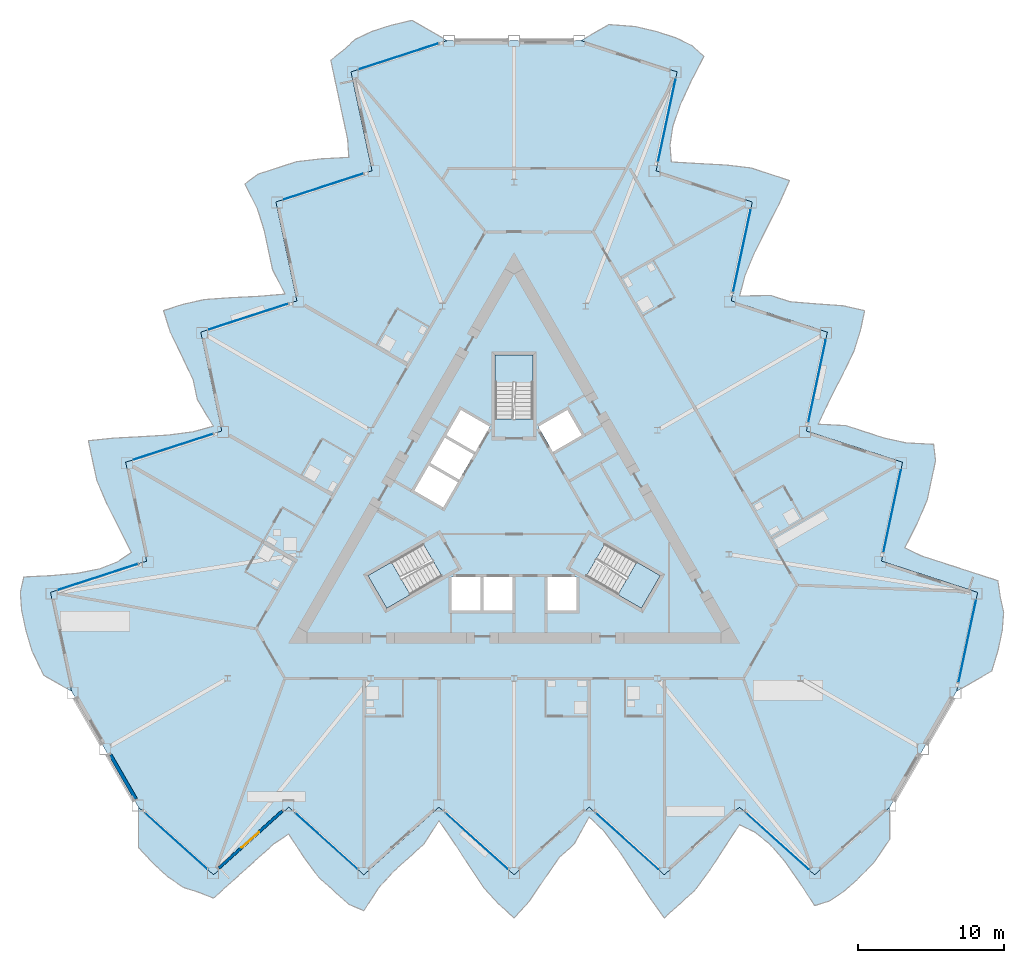
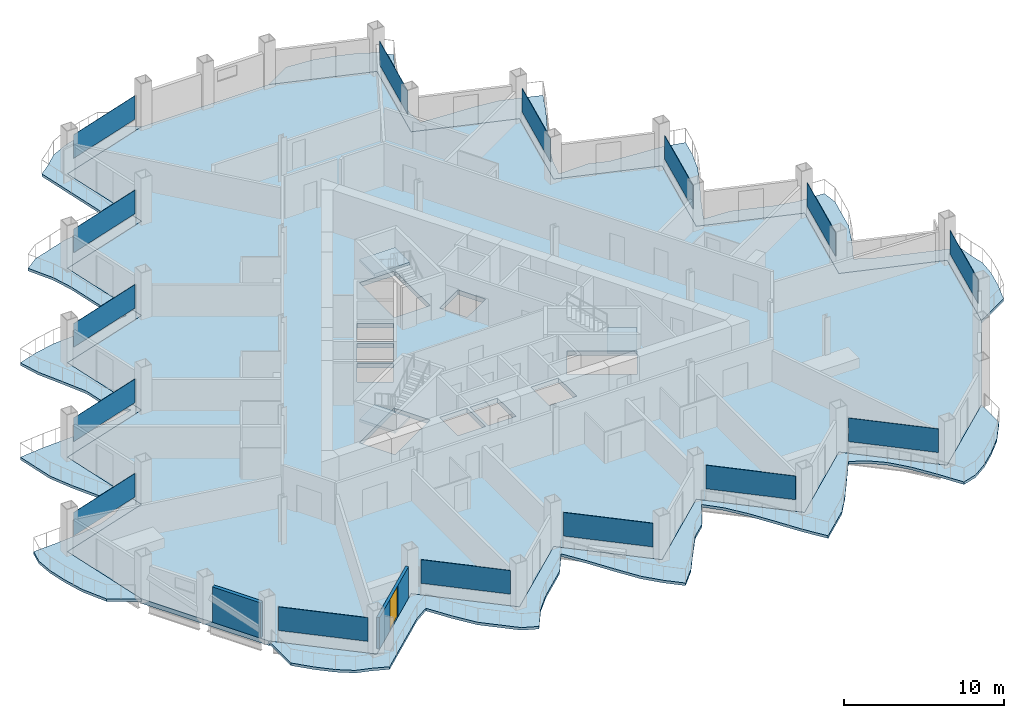
# One storey, part 10 of 23: 15 plates, 7 slabs, 2 walls, 1 door, 1 opening, 18 elements without a shape of their own.
"""IFC4 building model written with IfcOpenShell, lengths in metres."""

from ifc_helpers import new_model, si_unit, direction, frame, frame_2d, origin, origin_2d, place, context, subcontext, project, spatial, polyline, rectangle, outline, extrude, material, layer, layer_set, type_object, element, fill, aggregate, save


model = new_model("IFC4")

# Units and contexts
model_context = context("Model", 3, precision=1e-05, world=origin(), true_north=direction((0.0, 1.0)))
body_context = subcontext(model_context, "Body", "Model", "MODEL_VIEW")
ifc_project = project(units=[si_unit("LENGTHUNIT", "METRE"), si_unit("AREAUNIT", "SQUARE_METRE"), si_unit("VOLUMEUNIT", "CUBIC_METRE"), si_unit("PLANEANGLEUNIT", "RADIAN"), si_unit("MASSUNIT", "GRAM", prefix="KILO")], contexts=[model_context])

# Site, building, storey
site_placement = place(None, origin())
site = spatial("IfcSite", under=ifc_project, at=site_placement, CompositionType="ELEMENT")
building_placement = place(site_placement, origin())
building = spatial("IfcBuilding", under=site, at=building_placement, Name="Cormorant Prow Tower", CompositionType="ELEMENT")
storey_placement = place(building_placement, frame((0.0, 0.0, 212.39990234375)))
storey = spatial("IfcBuildingStorey", under=building, at=storey_placement, Name="L47", CompositionType="ELEMENT", Elevation=212.39990234375)

# Slabs
ifc_material_1 = material(Name="Concrete C40/50", Category="concrete")
ifc_layer_1 = layer(ifc_material_1, 0.199951171875)
ifc_layer_set_1 = layer_set([ifc_layer_1], Name="Concrete C40/50")
slab_type_1 = type_object("IfcSlabType", Name="Balcony slab 200", PredefinedType="FLOOR", material=ifc_layer_set_1)
slab_1_placement = place(storey_placement, frame((0.0, 0.0, -0.199951171875)))
element("IfcSlab", 1, at=slab_1_placement, inside=storey, type_object=slab_type_1, Name="Balcony slab S L47", PredefinedType="FLOOR", context=body_context, shape_type="SweptSolid", body=[
    extrude(outline(polyline([(-25.778076171875, -20.184814453125), (-25.778076171875, -22.96875), (-24.7470703125, -24.063232421875), (-23.7158203125, -24.99169921875), (-22.684814453125, -25.69580078125), (-21.653564453125, -26.018310546875), (-20.62255859375, -26.427001953125), (-19.59130859375, -25.49853515625), (-18.560302734375, -24.570068359375), (-17.529052734375, -23.641845703125), (-16.498046875, -22.71337890625), (-15.466796875, -22.023681640625), (-14.435791015625, -23.608154296875), (-13.404541015625, -24.99169921875), (-12.37353515625, -25.920166015625), (-11.34228515625, -26.8486328125), (-10.311279296875, -27.2890625), (-9.280029296875, -25.700439453125), (-8.2490234375, -24.570068359375), (-7.2177734375, -23.641845703125), (-6.186767578125, -22.71337890625), (-5.155517578125, -21.11865234375), (-4.12451171875, -22.59814453125), (-3.09326171875, -24.19775390625), (-2.062255859375, -25.723388671875), (-1.031005859375, -26.8486328125), (0.0, -27.777099609375), (1.031005859375, -26.656005859375), (2.062255859375, -25.1318359375), (3.09326171875, -23.641845703125), (4.12451171875, -22.71337890625), (5.155517578125, -20.848388671875), (6.186767578125, -21.86083984375), (7.2177734375, -23.207275390625), (8.2490234375, -24.766357421875), (9.280029296875, -26.35546875), (10.311279296875, -27.777099609375), (11.34228515625, -26.8486328125), (12.37353515625, -25.920166015625), (13.404541015625, -24.54150390625), (14.435791015625, -22.957763671875), (15.466796875, -21.39013671875), (16.498046875, -21.880615234375), (17.529052734375, -22.698974609375), (18.560302734375, -23.87744140625), (19.59130859375, -25.343505859375), (20.62255859375, -26.941162109375), (21.653564453125, -26.6201171875), (22.684814453125, -25.920166015625), (23.7158203125, -24.99169921875), (24.7470703125, -23.901123046875), (25.778076171875, -22.38818359375), (25.778076171875, -20.184814453125), (24.7470703125, -21.11328125), (23.7158203125, -22.041748046875), (22.684814453125, -22.97021484375), (21.653564453125, -23.898681640625), (20.62255859375, -24.8271484375), (19.59130859375, -23.898681640625), (18.560302734375, -22.97021484375), (17.529052734375, -22.041748046875), (16.498046875, -21.11328125), (15.466796875, -20.184814453125), (14.435791015625, -21.11328125), (13.404541015625, -22.041748046875), (12.37353515625, -22.97021484375), (11.34228515625, -23.898681640625), (10.311279296875, -24.8271484375), (9.280029296875, -23.898681640625), (8.2490234375, -22.97021484375), (7.2177734375, -22.041748046875), (6.186767578125, -21.11328125), (5.155517578125, -20.184814453125), (4.12451171875, -21.11328125), (3.09326171875, -22.041748046875), (2.062255859375, -22.97021484375), (1.031005859375, -23.898681640625), (0.0, -24.8271484375), (-1.031005859375, -23.898681640625), (-2.062255859375, -22.97021484375), (-3.09326171875, -22.041748046875), (-4.12451171875, -21.11328125), (-5.155517578125, -20.184814453125), (-6.186767578125, -21.11328125), (-7.2177734375, -22.041748046875), (-8.2490234375, -22.97021484375), (-9.280029296875, -23.898681640625), (-10.311279296875, -24.8271484375), (-11.34228515625, -23.898681640625), (-12.37353515625, -22.97021484375), (-13.404541015625, -22.041748046875), (-14.435791015625, -21.11328125), (-15.466796875, -20.184814453125), (-16.498046875, -21.11328125), (-17.529052734375, -22.041748046875), (-18.560302734375, -22.97021484375), (-19.59130859375, -23.898681640625), (-20.62255859375, -24.8271484375), (-21.653564453125, -23.898681640625), (-22.684814453125, -22.97021484375), (-23.7158203125, -22.041748046875), (-24.7470703125, -21.11328125), (-25.778076171875, -20.184814453125)])), origin(), (0.0, 0.0, 1.0), 0.199951171875),
])
slab_2_placement = place(storey_placement, frame((0.0, 0.0, -0.199951171875)))
element("IfcSlab", 2, at=slab_2_placement, inside=storey, type_object=slab_type_1, Name="Balcony slab ENE L47", PredefinedType="FLOOR", context=body_context, shape_type="SweptSolid", body=[
    extrude(outline(polyline([(30.36962890625, -12.232177734375), (32.780517578125, -10.840087890625), (33.212890625, -9.39990234375), (33.50146484375, -8.042724609375), (33.595703125, -6.797607421875), (33.359375, -5.743408203125), (33.19775390625, -4.64599609375), (31.878173828125, -4.21728515625), (30.55859375, -3.78857421875), (29.239013671875, -3.35986328125), (27.91943359375, -2.93115234375), (26.806396484375, -2.3828125), (27.6630859375, -0.69775390625), (28.345703125, 0.88720703125), (28.63427734375, 2.244384765625), (28.9228515625, 3.6015625), (28.78857421875, 4.714599609375), (26.897216796875, 4.8134765625), (25.40283203125, 5.141357421875), (24.083251953125, 5.570068359375), (22.763671875, 5.998779296875), (20.8671875, 6.094482421875), (21.6328125, 7.72705078125), (22.502685546875, 9.419921875), (23.30810546875, 11.07568359375), (23.76708984375, 12.53125), (24.0556640625, 13.888427734375), (22.569091796875, 14.220947265625), (20.733642578125, 14.351806640625), (18.927734375, 14.499755859375), (17.608154296875, 14.9287109375), (15.4775390625, 14.88916015625), (15.8388671875, 16.288330078125), (16.489013671875, 17.8544921875), (17.32373046875, 19.527099609375), (18.184326171875, 21.214599609375), (18.89990234375, 22.818359375), (17.580322265625, 23.2470703125), (16.2607421875, 23.67578125), (14.55126953125, 23.879638671875), (12.6640625, 23.980712890625), (10.791015625, 24.08984375), (10.7001953125, 25.22802734375), (10.893310546875, 26.5302734375), (11.3984375, 28.012451171875), (12.15234375, 29.638427734375), (13.0205078125, 31.330322265625), (12.226806640625, 32.062744140625), (11.105224609375, 32.605712890625), (9.78564453125, 33.034423828125), (8.325439453125, 33.382080078125), (6.499755859375, 33.5185546875), (4.591552734375, 32.4169921875), (5.9111328125, 31.98828125), (7.230712890625, 31.5595703125), (8.55029296875, 31.130615234375), (9.869873046875, 30.701904296875), (11.189697265625, 30.273193359375), (10.901123046875, 28.916015625), (10.612548828125, 27.558837890625), (10.32421875, 26.20166015625), (10.03564453125, 24.844482421875), (9.7470703125, 23.487060546875), (11.06689453125, 23.058349609375), (12.386474609375, 22.629638671875), (13.7060546875, 22.200927734375), (15.025634765625, 21.772216796875), (16.34521484375, 21.34326171875), (16.056640625, 19.986083984375), (15.768310546875, 18.62890625), (15.479736328125, 17.271728515625), (15.19140625, 15.91455078125), (14.90283203125, 14.557373046875), (16.222412109375, 14.128662109375), (17.5419921875, 13.69970703125), (18.861572265625, 13.27099609375), (20.18115234375, 12.84228515625), (21.5009765625, 12.41357421875), (21.21240234375, 11.056396484375), (20.923828125, 9.69921875), (20.635498046875, 8.342041015625), (20.346923828125, 6.984619140625), (20.058349609375, 5.62744140625), (21.378173828125, 5.19873046875), (22.69775390625, 4.77001953125), (24.017333984375, 4.34130859375), (25.3369140625, 3.912353515625), (26.656494140625, 3.483642578125), (26.367919921875, 2.12646484375), (26.07958984375, 0.769287109375), (25.791015625, -0.587890625), (25.502685546875, -1.945068359375), (25.214111328125, -3.30224609375), (26.53369140625, -3.73095703125), (27.853271484375, -4.159912109375), (29.1728515625, -4.588623046875), (30.492431640625, -5.017333984375), (31.81201171875, -5.446044921875), (31.523681640625, -6.80322265625), (31.235107421875, -8.160400390625), (30.94677734375, -9.517822265625), (30.658203125, -10.875), (30.36962890625, -12.232177734375)])), origin(), (0.0, 0.0, 1.0), 0.199951171875),
])
slab_3_placement = place(storey_placement, frame((0.0, 0.0, -0.199951171875)))
element("IfcSlab", 3, at=slab_3_placement, inside=storey, type_object=slab_type_1, Name="Balcony slab WNW L47", PredefinedType="FLOOR", context=body_context, shape_type="SweptSolid", body=[
    extrude(outline(polyline([(-4.591552734375, 32.4169921875), (-7.00244140625, 33.808837890625), (-8.4658203125, 33.463134765625), (-9.78564453125, 33.034423828125), (-10.910888671875, 32.49365234375), (-11.705810546875, 31.76171875), (-12.5751953125, 31.0732421875), (-12.286865234375, 29.716064453125), (-11.998291015625, 28.35888671875), (-11.709716796875, 27.00146484375), (-11.42138671875, 25.644287109375), (-11.339599609375, 24.406494140625), (-13.227294921875, 24.3056640625), (-14.941162109375, 24.104736328125), (-16.2607421875, 23.67578125), (-17.580322265625, 23.2470703125), (-18.477294921875, 22.57421875), (-17.6171875, 20.886962890625), (-17.15380859375, 19.428955078125), (-16.865478515625, 18.07177734375), (-16.576904296875, 16.714599609375), (-15.711669921875, 15.024169921875), (-17.50830078125, 14.87109375), (-19.4091796875, 14.77783203125), (-21.245849609375, 14.647705078125), (-22.736083984375, 14.3173828125), (-24.0556640625, 13.888427734375), (-23.600341796875, 12.43505859375), (-22.7958984375, 10.780029296875), (-22.02099609375, 9.141845703125), (-21.732666015625, 7.78466796875), (-20.633056640625, 5.959228515625), (-22.025634765625, 5.572509765625), (-23.70703125, 5.352783203125), (-25.57275390625, 5.2392578125), (-27.464599609375, 5.140869140625), (-29.211181640625, 4.958740234375), (-28.9228515625, 3.6015625), (-28.63427734375, 2.244384765625), (-27.955810546875, 0.662109375), (-27.099853515625, -1.02294921875), (-26.2578125, -2.69970703125), (-27.1982421875, -3.347412109375), (-28.422607421875, -3.8310546875), (-29.958740234375, -4.135009765625), (-31.74365234375, -4.294921875), (-33.64306640625, -4.38916015625), (-33.88037109375, -5.442626953125), (-33.7900390625, -6.685546875), (-33.50146484375, -8.042724609375), (-33.072509765625, -9.48095703125), (-32.27783203125, -11.13037109375), (-30.36962890625, -12.232177734375), (-30.658203125, -10.875), (-30.94677734375, -9.517822265625), (-31.235107421875, -8.160400390625), (-31.523681640625, -6.80322265625), (-31.81201171875, -5.446044921875), (-30.492431640625, -5.017333984375), (-29.1728515625, -4.588623046875), (-27.853271484375, -4.159912109375), (-26.53369140625, -3.73095703125), (-25.214111328125, -3.30224609375), (-25.502685546875, -1.945068359375), (-25.791015625, -0.587890625), (-26.07958984375, 0.769287109375), (-26.367919921875, 2.12646484375), (-26.656494140625, 3.483642578125), (-25.3369140625, 3.912353515625), (-24.017333984375, 4.34130859375), (-22.69775390625, 4.77001953125), (-21.378173828125, 5.19873046875), (-20.058349609375, 5.62744140625), (-20.346923828125, 6.984619140625), (-20.635498046875, 8.342041015625), (-20.923828125, 9.69921875), (-21.21240234375, 11.056396484375), (-21.5009765625, 12.41357421875), (-20.18115234375, 12.84228515625), (-18.861572265625, 13.27099609375), (-17.5419921875, 13.69970703125), (-16.222412109375, 14.128662109375), (-14.90283203125, 14.557373046875), (-15.19140625, 15.91455078125), (-15.479736328125, 17.271728515625), (-15.768310546875, 18.62890625), (-16.056640625, 19.986083984375), (-16.34521484375, 21.34326171875), (-15.025634765625, 21.772216796875), (-13.7060546875, 22.200927734375), (-12.386474609375, 22.629638671875), (-11.06689453125, 23.058349609375), (-9.7470703125, 23.487060546875), (-10.03564453125, 24.844482421875), (-10.32421875, 26.20166015625), (-10.612548828125, 27.558837890625), (-10.901123046875, 28.916015625), (-11.189697265625, 30.273193359375), (-9.869873046875, 30.701904296875), (-8.55029296875, 31.130615234375), (-7.230712890625, 31.5595703125), (-5.9111328125, 31.98828125), (-4.591552734375, 32.4169921875)])), origin(), (0.0, 0.0, 1.0), 0.199951171875),
])

# Curtain wall, plate
ifc_material_2 = material(Name="Aluminium 6063-T6", Category="aluminium")
ifc_layer_2 = layer(ifc_material_2, 0.179931640625)
ifc_layer_set_2 = layer_set([ifc_layer_2], Name="Aluminium 6063-T6")
curtain_wall_type = type_object("IfcCurtainWallType", Name="Hotel unitised curtain wall 180", PredefinedType="NOTDEFINED", material=ifc_layer_set_2)
curtain_wall_1_placement = place(storey_placement, origin())
curtain_wall_1 = element("IfcCurtainWall", 4, at=curtain_wall_1_placement, inside=storey, type_object=curtain_wall_type, Name="Hotel curtain wall S00", PredefinedType="NOTDEFINED")
ifc_material_3 = material(Name="Clear glass", Category="glass")
ifc_layer_3 = layer(ifc_material_3, 0.028076171875)
ifc_layer_set_3 = layer_set([ifc_layer_3], Name="Clear glass")
plate_type = type_object("IfcPlateType", Name="Hotel glass panel 28", PredefinedType="CURTAIN_PANEL", material=ifc_layer_set_3)
plate_1_placement = place(storey_placement, frame((-23.177978515625, -22.526123046875, 0.900146484375), z_axis=(0.0, 0.0, 1.0), x_axis=(0.743144739757, -0.669130701561, 0.0)))
plate_1 = element("IfcPlate", 5, at=plate_1_placement, type_object=plate_type, Name="Hotel glass panel S00", PredefinedType="CURTAIN_PANEL", context=body_context, shape_type="SweptSolid", body=[
    extrude(rectangle(XDim=5.74169921875, YDim=0.028076171875, at=origin_2d()), origin(), (0.0, 0.0, 1.0), 1.80078125),
])
aggregate(curtain_wall_1, [plate_1])

curtain_wall_2_placement = place(storey_placement, origin())
curtain_wall_2 = element("IfcCurtainWall", 6, at=curtain_wall_2_placement, inside=storey, type_object=curtain_wall_type, Name="Hotel curtain wall S02", PredefinedType="NOTDEFINED")
plate_2_placement = place(storey_placement, frame((-12.86669921875, -22.526123046875, 0.900146484375), z_axis=(0.0, 0.0, 1.0), x_axis=(0.743144804304, -0.669130629874, 0.0)))
plate_2 = element("IfcPlate", 7, at=plate_2_placement, type_object=plate_type, Name="Hotel glass panel S02", PredefinedType="CURTAIN_PANEL", context=body_context, shape_type="SweptSolid", body=[
    extrude(rectangle(XDim=5.74169921875, YDim=0.028076171875, at=origin_2d()), origin(), (0.0, 0.0, 1.0), 1.80078125),
])
aggregate(curtain_wall_2, [plate_2])

curtain_wall_3_placement = place(storey_placement, origin())
curtain_wall_3 = element("IfcCurtainWall", 8, at=curtain_wall_3_placement, inside=storey, type_object=curtain_wall_type, Name="Hotel curtain wall S04", PredefinedType="NOTDEFINED")
plate_3_placement = place(storey_placement, frame((-2.555419921875, -22.526123046875, 0.900146484375), z_axis=(0.0, 0.0, 1.0), x_axis=(0.743144804304, -0.669130629874, 0.0)))
plate_3 = element("IfcPlate", 9, at=plate_3_placement, type_object=plate_type, Name="Hotel glass panel S04", PredefinedType="CURTAIN_PANEL", context=body_context, shape_type="SweptSolid", body=[
    extrude(rectangle(XDim=5.74169921875, YDim=0.028076171875, at=origin_2d()), origin(), (0.0, 0.0, 1.0), 1.80078125),
])
aggregate(curtain_wall_3, [plate_3])

curtain_wall_4_placement = place(storey_placement, origin())
curtain_wall_4 = element("IfcCurtainWall", 10, at=curtain_wall_4_placement, inside=storey, type_object=curtain_wall_type, Name="Hotel curtain wall S06", PredefinedType="NOTDEFINED")
plate_4_placement = place(storey_placement, frame((7.755859375, -22.526123046875, 0.900146484375), z_axis=(0.0, 0.0, 1.0), x_axis=(0.743144739757, -0.669130701561, 0.0)))
plate_4 = element("IfcPlate", 11, at=plate_4_placement, type_object=plate_type, Name="Hotel glass panel S06", PredefinedType="CURTAIN_PANEL", context=body_context, shape_type="SweptSolid", body=[
    extrude(rectangle(XDim=5.74169921875, YDim=0.028076171875, at=origin_2d()), origin(), (0.0, 0.0, 1.0), 1.80078125),
])
aggregate(curtain_wall_4, [plate_4])

curtain_wall_5_placement = place(storey_placement, origin())
curtain_wall_5 = element("IfcCurtainWall", 12, at=curtain_wall_5_placement, inside=storey, type_object=curtain_wall_type, Name="Hotel curtain wall S08", PredefinedType="NOTDEFINED")
plate_5_placement = place(storey_placement, frame((18.06689453125, -22.526123046875, 0.900146484375), z_axis=(0.0, 0.0, 1.0), x_axis=(0.743144804304, -0.669130629874, 0.0)))
plate_5 = element("IfcPlate", 13, at=plate_5_placement, type_object=plate_type, Name="Hotel glass panel S08", PredefinedType="CURTAIN_PANEL", context=body_context, shape_type="SweptSolid", body=[
    extrude(rectangle(XDim=5.74169921875, YDim=0.028076171875, at=origin_2d()), origin(), (0.0, 0.0, 1.0), 1.80078125),
])
aggregate(curtain_wall_5, [plate_5])

curtain_wall_6_placement = place(storey_placement, origin())
curtain_wall_6 = element("IfcCurtainWall", 14, at=curtain_wall_6_placement, inside=storey, type_object=curtain_wall_type, Name="Hotel curtain wall ENE00", PredefinedType="NOTDEFINED")
plate_6_placement = place(storey_placement, frame((31.09716796875, -8.809814453125, 0.900146484375), z_axis=(0.0, 0.0, 1.0), x_axis=(0.20791171127, 0.978147596387, 0.0)))
plate_6 = element("IfcPlate", 15, at=plate_6_placement, type_object=plate_type, Name="Hotel glass panel ENE00", PredefinedType="CURTAIN_PANEL", context=body_context, shape_type="SweptSolid", body=[
    extrude(rectangle(XDim=5.74169921875, YDim=0.028076171875, at=origin_2d()), origin(), (0.0, 0.0, 1.0), 1.80078125),
])
aggregate(curtain_wall_6, [plate_6])

curtain_wall_7_placement = place(storey_placement, origin())
curtain_wall_7 = element("IfcCurtainWall", 16, at=curtain_wall_7_placement, inside=storey, type_object=curtain_wall_type, Name="Hotel curtain wall ENE02", PredefinedType="NOTDEFINED")
plate_7_placement = place(storey_placement, frame((25.94140625, 0.1201171875, 0.900146484375), z_axis=(0.0, 0.0, 1.0), x_axis=(0.207911681957, 0.978147602617, 0.0)))
plate_7 = element("IfcPlate", 17, at=plate_7_placement, type_object=plate_type, Name="Hotel glass panel ENE02", PredefinedType="CURTAIN_PANEL", context=body_context, shape_type="SweptSolid", body=[
    extrude(rectangle(XDim=5.74169921875, YDim=0.028076171875, at=origin_2d()), origin(), (0.0, 0.0, 1.0), 1.80078125),
])
aggregate(curtain_wall_7, [plate_7])

curtain_wall_8_placement = place(storey_placement, origin())
curtain_wall_8 = element("IfcCurtainWall", 18, at=curtain_wall_8_placement, inside=storey, type_object=curtain_wall_type, Name="Hotel curtain wall ENE04", PredefinedType="NOTDEFINED")
plate_8_placement = place(storey_placement, frame((20.785888671875, 9.0498046875, 0.900146484375), z_axis=(0.0, 0.0, 1.0), x_axis=(0.20791171127, 0.978147596387, 0.0)))
plate_8 = element("IfcPlate", 19, at=plate_8_placement, type_object=plate_type, Name="Hotel glass panel ENE04", PredefinedType="CURTAIN_PANEL", context=body_context, shape_type="SweptSolid", body=[
    extrude(rectangle(XDim=5.74169921875, YDim=0.028076171875, at=origin_2d()), origin(), (0.0, 0.0, 1.0), 1.80078125),
])
aggregate(curtain_wall_8, [plate_8])

curtain_wall_9_placement = place(storey_placement, origin())
curtain_wall_9 = element("IfcCurtainWall", 20, at=curtain_wall_9_placement, inside=storey, type_object=curtain_wall_type, Name="Hotel curtain wall ENE06", PredefinedType="NOTDEFINED")
plate_9_placement = place(storey_placement, frame((15.63037109375, 17.979736328125, 0.900146484375), z_axis=(0.0, 0.0, 1.0), x_axis=(0.207911681957, 0.978147602617, 0.0)))
plate_9 = element("IfcPlate", 21, at=plate_9_placement, type_object=plate_type, Name="Hotel glass panel ENE06", PredefinedType="CURTAIN_PANEL", context=body_context, shape_type="SweptSolid", body=[
    extrude(rectangle(XDim=5.74169921875, YDim=0.028076171875, at=origin_2d()), origin(), (0.0, 0.0, 1.0), 1.80078125),
])
aggregate(curtain_wall_9, [plate_9])

curtain_wall_10_placement = place(storey_placement, origin())
curtain_wall_10 = element("IfcCurtainWall", 22, at=curtain_wall_10_placement, inside=storey, type_object=curtain_wall_type, Name="Hotel curtain wall ENE08", PredefinedType="NOTDEFINED")
plate_10_placement = place(storey_placement, frame((10.474609375, 26.909423828125, 0.900146484375), z_axis=(0.0, 0.0, 1.0), x_axis=(0.20791171127, 0.978147596387, 0.0)))
plate_10 = element("IfcPlate", 23, at=plate_10_placement, type_object=plate_type, Name="Hotel glass panel ENE08", PredefinedType="CURTAIN_PANEL", context=body_context, shape_type="SweptSolid", body=[
    extrude(rectangle(XDim=5.74169921875, YDim=0.028076171875, at=origin_2d()), origin(), (0.0, 0.0, 1.0), 1.80078125),
])
aggregate(curtain_wall_10, [plate_10])

curtain_wall_11_placement = place(storey_placement, origin())
curtain_wall_11 = element("IfcCurtainWall", 24, at=curtain_wall_11_placement, inside=storey, type_object=curtain_wall_type, Name="Hotel curtain wall WNW00", PredefinedType="NOTDEFINED")
plate_11_placement = place(storey_placement, frame((-7.919189453125, 31.335693359375, 0.900146484375), z_axis=(0.0, 0.0, 1.0), x_axis=(-0.951056508993, -0.30901701685, 0.0)))
plate_11 = element("IfcPlate", 25, at=plate_11_placement, type_object=plate_type, Name="Hotel glass panel WNW00", PredefinedType="CURTAIN_PANEL", context=body_context, shape_type="SweptSolid", body=[
    extrude(rectangle(XDim=5.74169921875, YDim=0.028076171875, at=origin_2d()), origin(), (0.0, 0.0, 1.0), 1.80078125),
])
aggregate(curtain_wall_11, [plate_11])

curtain_wall_12_placement = place(storey_placement, origin())
curtain_wall_12 = element("IfcCurtainWall", 26, at=curtain_wall_12_placement, inside=storey, type_object=curtain_wall_type, Name="Hotel curtain wall WNW02", PredefinedType="NOTDEFINED")
plate_12_placement = place(storey_placement, frame((-13.07470703125, 22.406005859375, 0.900146484375), z_axis=(0.0, 0.0, 1.0), x_axis=(-0.951056522756, -0.309016974489, 0.0)))
plate_12 = element("IfcPlate", 27, at=plate_12_placement, type_object=plate_type, Name="Hotel glass panel WNW02", PredefinedType="CURTAIN_PANEL", context=body_context, shape_type="SweptSolid", body=[
    extrude(rectangle(XDim=5.74169921875, YDim=0.028076171875, at=origin_2d()), origin(), (0.0, 0.0, 1.0), 1.80078125),
])
aggregate(curtain_wall_12, [plate_12])

curtain_wall_13_placement = place(storey_placement, origin())
curtain_wall_13 = element("IfcCurtainWall", 28, at=curtain_wall_13_placement, inside=storey, type_object=curtain_wall_type, Name="Hotel curtain wall WNW04", PredefinedType="NOTDEFINED")
plate_13_placement = place(storey_placement, frame((-18.23046875, 13.47607421875, 0.900146484375), z_axis=(0.0, 0.0, 1.0), x_axis=(-0.951056522756, -0.309016974489, 0.0)))
plate_13 = element("IfcPlate", 29, at=plate_13_placement, type_object=plate_type, Name="Hotel glass panel WNW04", PredefinedType="CURTAIN_PANEL", context=body_context, shape_type="SweptSolid", body=[
    extrude(rectangle(XDim=5.74169921875, YDim=0.028076171875, at=origin_2d()), origin(), (0.0, 0.0, 1.0), 1.80078125),
])
aggregate(curtain_wall_13, [plate_13])

curtain_wall_14_placement = place(storey_placement, origin())
curtain_wall_14 = element("IfcCurtainWall", 30, at=curtain_wall_14_placement, inside=storey, type_object=curtain_wall_type, Name="Hotel curtain wall WNW06", PredefinedType="NOTDEFINED")
plate_14_placement = place(storey_placement, frame((-23.385986328125, 4.54638671875, 0.900146484375), z_axis=(0.0, 0.0, 1.0), x_axis=(-0.951056508993, -0.30901701685, 0.0)))
plate_14 = element("IfcPlate", 31, at=plate_14_placement, type_object=plate_type, Name="Hotel glass panel WNW06", PredefinedType="CURTAIN_PANEL", context=body_context, shape_type="SweptSolid", body=[
    extrude(rectangle(XDim=5.74169921875, YDim=0.028076171875, at=origin_2d()), origin(), (0.0, 0.0, 1.0), 1.80078125),
])
aggregate(curtain_wall_14, [plate_14])

curtain_wall_15_placement = place(storey_placement, origin())
curtain_wall_15 = element("IfcCurtainWall", 32, at=curtain_wall_15_placement, inside=storey, type_object=curtain_wall_type, Name="Hotel curtain wall WNW08", PredefinedType="NOTDEFINED")
plate_15_placement = place(storey_placement, frame((-28.541748046875, -4.383544921875, 0.900146484375), z_axis=(0.0, 0.0, 1.0), x_axis=(-0.951056522756, -0.309016974489, 0.0)))
plate_15 = element("IfcPlate", 33, at=plate_15_placement, type_object=plate_type, Name="Hotel glass panel WNW08", PredefinedType="CURTAIN_PANEL", context=body_context, shape_type="SweptSolid", body=[
    extrude(rectangle(XDim=5.74169921875, YDim=0.028076171875, at=origin_2d()), origin(), (0.0, 0.0, 1.0), 1.80078125),
])
aggregate(curtain_wall_15, [plate_15])

# Slab
ifc_material_4 = material(Name="Concrete C40/50", Category="concrete")
ifc_layer_4 = layer(ifc_material_4, 0.35009765625)
ifc_layer_set_4 = layer_set([ifc_layer_4], Name="Concrete C40/50")
slab_type_2 = type_object("IfcSlabType", Name="Post-tensioned flat slab 350", PredefinedType="FLOOR", material=ifc_layer_set_4)
slab_4_placement = place(storey_placement, frame((0.0, 0.0, -0.349853515625)))
element("IfcSlab", 34, at=slab_4_placement, inside=storey, type_object=slab_type_2, Name="Floor slab L47", PredefinedType="FLOOR", context=body_context, shape_type="SweptSolid", body=[
    extrude(outline(polyline([(-9.7470703125, 23.487060546875), (-16.34521484375, 21.34326171875), (-14.90283203125, 14.557373046875), (-21.5009765625, 12.41357421875), (-20.058349609375, 5.62744140625), (-26.656494140625, 3.483642578125), (-25.214111328125, -3.30224609375), (-31.81201171875, -5.446044921875), (-30.36962890625, -12.232177734375), (-28.073974609375, -16.20849609375), (-25.778076171875, -20.184814453125), (-20.62255859375, -24.8271484375), (-15.466796875, -20.184814453125), (-10.311279296875, -24.8271484375), (-5.155517578125, -20.184814453125), (0.0, -24.8271484375), (5.155517578125, -20.184814453125), (10.311279296875, -24.8271484375), (15.466796875, -20.184814453125), (20.62255859375, -24.8271484375), (25.778076171875, -20.184814453125), (28.073974609375, -16.20849609375), (30.36962890625, -12.232177734375), (31.81201171875, -5.446044921875), (25.214111328125, -3.30224609375), (26.656494140625, 3.483642578125), (20.058349609375, 5.62744140625), (21.5009765625, 12.41357421875), (14.90283203125, 14.557373046875), (16.34521484375, 21.34326171875), (9.7470703125, 23.487060546875), (11.189697265625, 30.273193359375), (4.591552734375, 32.4169921875), (0.0, 32.4169921875), (-4.591552734375, 32.4169921875), (-11.189697265625, 30.273193359375), (-9.7470703125, 23.487060546875)]), holes=[polyline([(-4.300048828125, -4.39990234375), (-2.300048828125, -4.39990234375), (-2.300048828125, -6.699951171875), (-4.300048828125, -6.699951171875), (-4.300048828125, -4.39990234375)]), polyline([(-0.10009765625, -4.39990234375), (-0.10009765625, -6.699951171875), (-2.10009765625, -6.699951171875), (-2.10009765625, -4.39990234375), (-0.10009765625, -4.39990234375)]), polyline([(4.300048828125, -6.699951171875), (2.300048828125, -6.699951171875), (2.300048828125, -4.39990234375), (4.300048828125, -4.39990234375), (4.300048828125, -6.699951171875)]), polyline([(4.65234375, 5.341796875), (2.660400390625, 4.19189453125), (1.660400390625, 5.923828125), (3.65234375, 7.073974609375), (4.65234375, 5.341796875)]), polyline([(-1.660400390625, 5.923828125), (-2.660400390625, 4.19189453125), (-4.65234375, 5.341796875), (-3.65234375, 7.073974609375), (-1.660400390625, 5.923828125)]), polyline([(-3.760498046875, 2.28662109375), (-5.75244140625, 3.4365234375), (-4.75244140625, 5.168701171875), (-2.760498046875, 4.018798828125), (-3.760498046875, 2.28662109375)]), polyline([(-6.852294921875, 1.53125), (-5.852294921875, 3.263427734375), (-3.860595703125, 2.11328125), (-4.860595703125, 0.38134765625), (-6.852294921875, 1.53125)]), polyline([(-4.947509765625, -4.3505859375), (-8.738037109375, -6.5390625), (-10.031982421875, -4.2978515625), (-6.241455078125, -2.109375), (-4.947509765625, -4.3505859375)]), polyline([(10.031982421875, -4.2978515625), (8.738037109375, -6.5390625), (4.947509765625, -4.3505859375), (6.241455078125, -2.109375), (10.031982421875, -4.2978515625)]), polyline([(1.2939453125, 10.8369140625), (1.2939453125, 6.459716796875), (-1.2939453125, 6.459716796875), (-1.2939453125, 10.8369140625), (1.2939453125, 10.8369140625)])]), origin(), (0.0, 0.0, 1.0), 0.349853515625),
])

# Stair, slab
ifc_material_5 = material(Name="Exit stair 20 risers")
stair_type = type_object("IfcStairType", Name="Exit stair 20 risers", PredefinedType="HALF_TURN_STAIR", material=ifc_material_5)
stair_1_placement = place(storey_placement, origin())
stair_1 = element("IfcStair", 35, at=stair_1_placement, inside=storey, type_object=stair_type, Name="L47 Exit stair ST1", PredefinedType="HALF_TURN_STAIR")
ifc_material_6 = material(Name="Concrete 5000 psi", Category="concrete")
ifc_layer_5 = layer(ifc_material_6, 0.199951171875)
ifc_layer_set_5 = layer_set([ifc_layer_5], Name="Concrete 5000 psi")
slab_type_3 = type_object("IfcSlabType", Name="Stair landing 200", PredefinedType="LANDING", material=ifc_layer_set_5)
slab_5_placement = place(storey_placement, frame((0.0, 0.0, 1.60009765625)))
slab_5 = element("IfcSlab", 36, at=slab_5_placement, type_object=slab_type_3, Name="ST1 landing 1", PredefinedType="LANDING", context=body_context, shape_type="SweptSolid", body=[
    extrude(outline(polyline([(-8.416748046875, -3.365234375), (-10.031982421875, -4.2978515625), (-8.738037109375, -6.5390625), (-7.122802734375, -5.6064453125), (-8.416748046875, -3.365234375)])), origin(), (0.0, 0.0, 1.0), 0.199951171875),
])
aggregate(stair_1, [slab_5])

stair_2_placement = place(storey_placement, origin())
stair_2 = element("IfcStair", 37, at=stair_2_placement, inside=storey, type_object=stair_type, Name="L47 Exit stair ST2", PredefinedType="HALF_TURN_STAIR")
slab_6_placement = place(storey_placement, frame((0.0, 0.0, 1.60009765625)))
slab_6 = element("IfcSlab", 38, at=slab_6_placement, type_object=slab_type_3, Name="ST2 landing 1", PredefinedType="LANDING", context=body_context, shape_type="SweptSolid", body=[
    extrude(outline(polyline([(7.122802734375, -5.6064453125), (8.738037109375, -6.5390625), (10.031982421875, -4.2978515625), (8.416748046875, -3.365234375), (7.122802734375, -5.6064453125)])), origin(), (0.0, 0.0, 1.0), 0.199951171875),
])
aggregate(stair_2, [slab_6])

stair_3_placement = place(storey_placement, origin())
stair_3 = element("IfcStair", 39, at=stair_3_placement, inside=storey, type_object=stair_type, Name="L47 Exit stair ST3", PredefinedType="HALF_TURN_STAIR")
slab_7_placement = place(storey_placement, frame((0.0, 0.0, 1.60009765625)))
slab_7 = element("IfcSlab", 40, at=slab_7_placement, type_object=slab_type_3, Name="ST3 landing 1", PredefinedType="LANDING", context=body_context, shape_type="SweptSolid", body=[
    extrude(outline(polyline([(1.2939453125, 8.971923828125), (1.2939453125, 10.8369140625), (-1.2939453125, 10.8369140625), (-1.2939453125, 8.971923828125), (1.2939453125, 8.971923828125)])), origin(), (0.0, 0.0, 1.0), 0.199951171875),
])
aggregate(stair_3, [slab_7])

# Wall
ifc_material_7 = material(Name="Terracotta", Category="masonry")
ifc_layer_6 = layer(ifc_material_7, 0.25)
ifc_layer_set_6 = layer_set([ifc_layer_6], Name="Terracotta")
wall_type_1 = type_object("IfcWallType", Name="Terracotta bay wall 250", PredefinedType="SOLIDWALL", material=ifc_layer_set_6)
wall_1_placement = place(storey_placement, frame((-27.7021484375, -16.6025390625, 0.0), z_axis=(0.0, 0.0, 1.0), x_axis=(0.500006525586, -0.866021636203, 0.0)))
element("IfcWall", 41, at=wall_1_placement, inside=storey, type_object=wall_type_1, Name="Terracotta bay wall WSW01", PredefinedType="SOLIDWALL", context=body_context, shape_type="SweptSolid", body=[
    extrude(rectangle(XDim=3.49658203125, YDim=0.25, at=frame_2d((1.748291015625, 0.0))), origin(), (0.0, 0.0, 1.0), 2.700927734375),
])

# Wall, opening, door
ifc_material_8 = material(Name="Terracotta", Category="masonry")
ifc_layer_7 = layer(ifc_material_8, 0.199951171875)
ifc_layer_set_7 = layer_set([ifc_layer_7], Name="Terracotta")
wall_type_2 = type_object("IfcWallType", Name="Terracotta jamb wall 200", PredefinedType="SOLIDWALL", material=ifc_layer_set_7)
wall_2_placement = place(storey_placement, frame((-20.267333984375, -24.37255859375, 0.0), z_axis=(0.0, 0.0, 1.0), x_axis=(0.743163950832, 0.669109364891, 0.0)))
wall_2 = element("IfcWall", 42, at=wall_2_placement, inside=storey, type_object=wall_type_2, Name="Terracotta jamb wall S01", PredefinedType="SOLIDWALL", context=body_context, shape_type="SweptSolid", body=[
    extrude(rectangle(XDim=5.874755859375, YDim=0.199951171875, at=frame_2d((2.9375, 0.0))), origin(), (0.0, 0.0, 1.0), 2.404296875),
])
opening_placement = place(wall_2_placement, frame((2.100830078125, 0.0, 0.0)))
opening = element("IfcOpeningElement", 43, at=opening_placement, cuts=wall_2, Name="Opening ED47.01", PredefinedType="OPENING", context=body_context, shape_type="SweptSolid", body=[
    extrude(rectangle(XDim=1.60009765625, YDim=2.39990234375, at=frame_2d((0.800048828125, 1.199951171875))), frame((0.0, 0.10986328125, 0.0), z_axis=(0.0, -1.0, 0.0), x_axis=(1.0, 0.0, 0.0)), (0.0, 0.0, 1.0), 0.219970703125),
])
ifc_material_9 = material(Name="Aluminium 6063-T6", Category="aluminium")
door_type = type_object("IfcDoorType", Name="Balcony door 1600x2400", OperationType="DOUBLE_DOOR_SINGLE_SWING", PredefinedType="DOOR", material=ifc_material_9)
door_placement = place(opening_placement, origin())
door = element("IfcDoor", 44, at=door_placement, inside=storey, type_object=door_type, Name="Balcony door S01 ED47.01", OperationType="DOUBLE_DOOR_SINGLE_SWING", OverallHeight=2.39990234375, OverallWidth=1.60009765625, PredefinedType="DOOR", context=body_context, shape_type="SweptSolid", body=[
    extrude(rectangle(XDim=1.60009765625, YDim=2.39990234375, at=frame_2d((0.800048828125, 1.199951171875))), frame((0.0, 0.02490234375, 0.0), z_axis=(0.0, -1.0, 0.0), x_axis=(1.0, 0.0, 0.0)), (0.0, 0.0, 1.0), 0.050048828125),
])
fill(opening, door)

save(model, "model.ifc")
